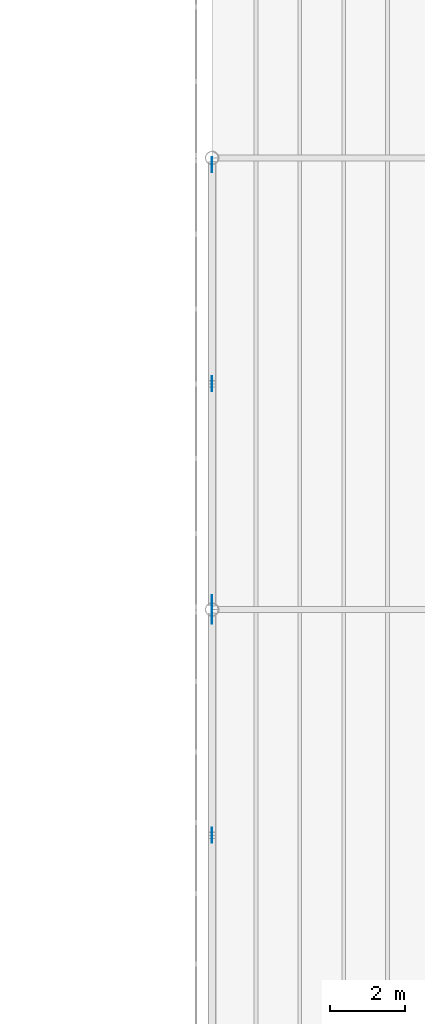
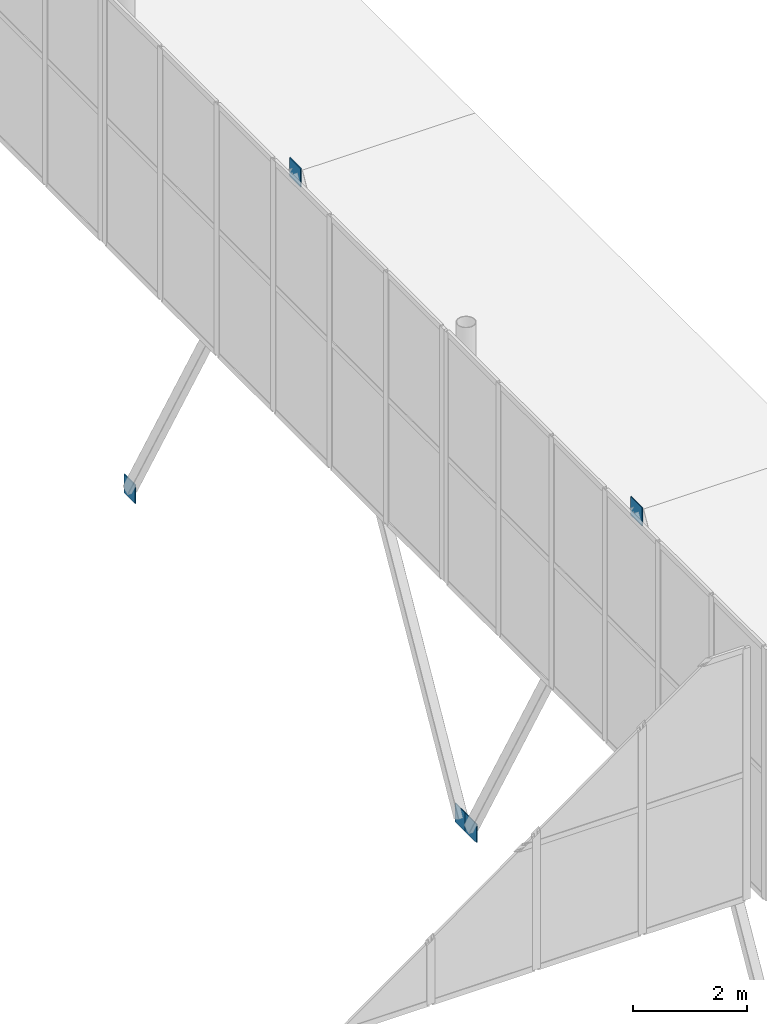
# One storey, part 154 of 170: 5 discrete accessories.
"""IFC4 building model written with IfcOpenShell, lengths in metres."""

from ifc_helpers import new_model, si_unit, direction, frame, origin, origin_2d, place, context, subcontext, project, spatial, rectangle, extrude, material, material_profile, profile_set, type_object, element, save


model = new_model("IFC4")

# Units and contexts
model_context = context("Model", 3, precision=1e-05, world=origin(), true_north=direction((0.0, 1.0)))
body_context = subcontext(model_context, "Body", "Model", "MODEL_VIEW")
ifc_project = project(units=[si_unit("LENGTHUNIT", "METRE"), si_unit("AREAUNIT", "SQUARE_METRE"), si_unit("VOLUMEUNIT", "CUBIC_METRE"), si_unit("PLANEANGLEUNIT", "RADIAN"), si_unit("MASSUNIT", "GRAM", prefix="KILO")], contexts=[model_context])

# Site, building, storey
site_placement = place(None, origin())
site = spatial("IfcSite", under=ifc_project, at=site_placement, CompositionType="ELEMENT")
building_placement = place(site_placement, origin())
building = spatial("IfcBuilding", under=site, at=building_placement, Name="Ravi Spectrum Wholesale Market", CompositionType="ELEMENT")
storey_placement = place(building_placement, frame((0.0, 0.0, 5.39990234375)))
storey = spatial("IfcBuildingStorey", under=building, at=storey_placement, Name="L01", CompositionType="ELEMENT", Elevation=5.39990234375)

# Discrete accessories
ifc_material = material(Name="Steel S355", Category="steel")
ifc_material_profile = material_profile(ifc_material, rectangle(XDim=0.39990234375, YDim=0.02001953125, at=origin_2d()))
ifc_profile_set = profile_set([ifc_material_profile], Name="Steel S355")
discrete_accessory_type = type_object("IfcDiscreteAccessoryType", Name="Gusset plate 400x400x20", PredefinedType="BRACKET", material=ifc_profile_set)
discrete_accessory_1_placement = place(storey_placement, frame((198.0, 144.0, 4.775146484375), z_axis=(0.0, 0.0, 1.0), x_axis=(0.0, 1.0, 0.0)))
element("IfcDiscreteAccessory", 1, at=discrete_accessory_1_placement, inside=storey, type_object=discrete_accessory_type, Name="Gusset plate", PredefinedType="BRACKET", context=body_context, shape_type="SweptSolid", body=[
    extrude(rectangle(XDim=0.39990234375, YDim=0.02001953125, at=origin_2d()), origin(), (0.0, 0.0, 1.0), 0.39990234375),
])
for number, where, z_axis, x_axis, name in (
    (2, (198.0, 149.822265625, -5.550537109375), (0.0, 0.0, 1.0), (0.0, -1.0, 0.0), "Gusset plate"),
    (3, (198.0, 150.177734375, -5.550537109375), (0.0, 0.0, 1.0), (0.0, 1.0, 0.0), "Gusset plate"),
):
    element("IfcDiscreteAccessory", number, at=place(storey_placement, frame(where, z_axis=z_axis, x_axis=x_axis)), inside=storey, type_object=discrete_accessory_type, Name=name, PredefinedType="BRACKET", context=body_context, shape_type="SweptSolid", body=[
        extrude(rectangle(XDim=0.39990234375, YDim=0.02001953125, at=origin_2d()), origin(), (0.0, 0.0, 1.0), 0.400146484375),
    ])
discrete_accessory_2_placement = place(storey_placement, frame((198.0, 156.0, 4.775146484375), z_axis=(0.0, 0.0, 1.0), x_axis=(0.0, 1.0, 0.0)))
element("IfcDiscreteAccessory", 4, at=discrete_accessory_2_placement, inside=storey, type_object=discrete_accessory_type, Name="Gusset plate", PredefinedType="BRACKET", context=body_context, shape_type="SweptSolid", body=[
    extrude(rectangle(XDim=0.39990234375, YDim=0.02001953125, at=origin_2d()), origin(), (0.0, 0.0, 1.0), 0.39990234375),
])
discrete_accessory_3_placement = place(storey_placement, frame((198.0, 161.822265625, -5.550537109375), z_axis=(0.0, 0.0, 1.0), x_axis=(0.0, -1.0, 0.0)))
element("IfcDiscreteAccessory", 5, at=discrete_accessory_3_placement, inside=storey, type_object=discrete_accessory_type, Name="Gusset plate", PredefinedType="BRACKET", context=body_context, shape_type="SweptSolid", body=[
    extrude(rectangle(XDim=0.39990234375, YDim=0.02001953125, at=origin_2d()), origin(), (0.0, 0.0, 1.0), 0.400146484375),
])

save(model, "model.ifc")
